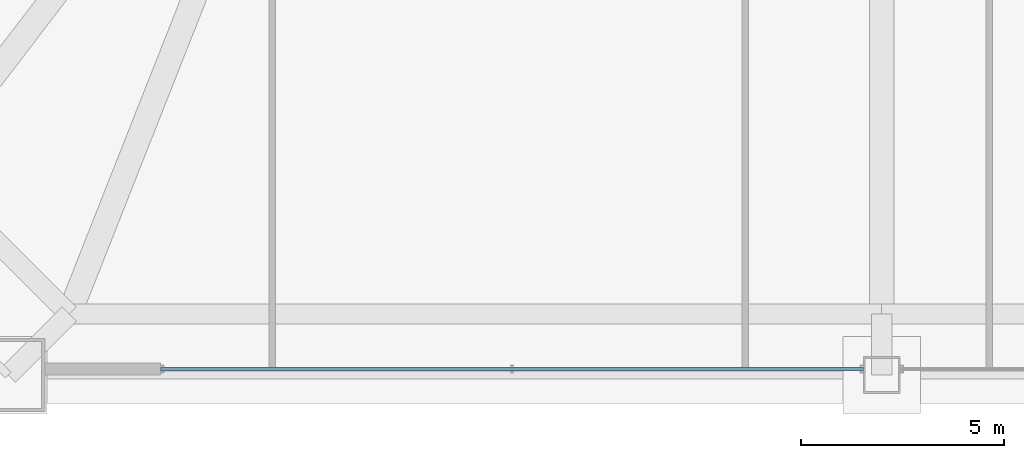
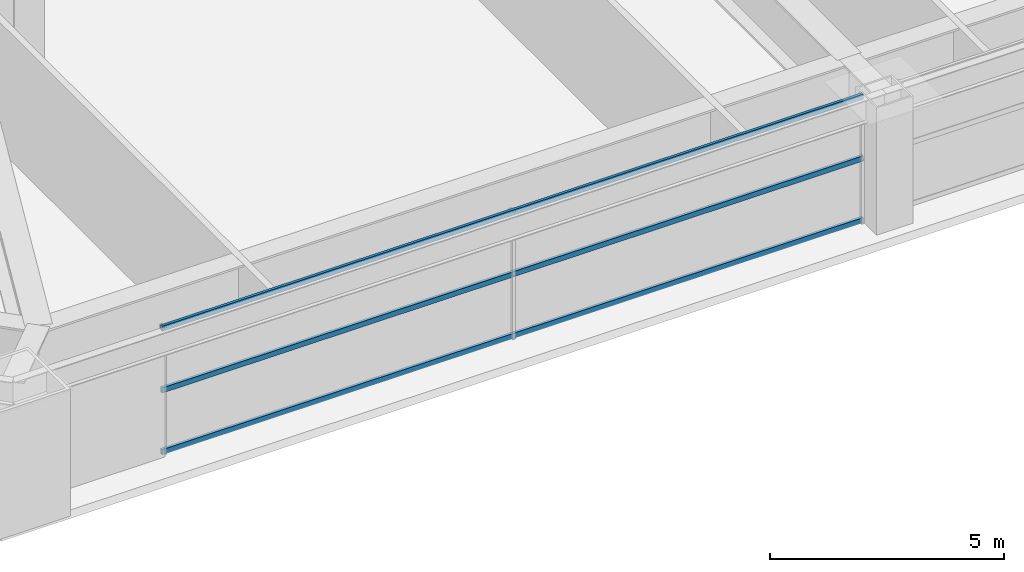
# One storey, part 6 of 44: 3 members, 1 element without a shape of its own.
"""IFC4 building model written with IfcOpenShell, lengths in metres."""

from ifc_helpers import new_model, si_unit, direction, frame, origin, origin_2d, place, context, subcontext, project, spatial, hollow_rectangle, extrude, source, transform, mapped, material, layer, layer_set, material_profile, profile_set, type_object, element, aggregate, save


model = new_model("IFC4")

# Units and contexts
model_context = context("Model", 3, precision=1e-05, world=origin(), true_north=direction((0.0, 1.0)))
body_context = subcontext(model_context, "Body", "Model", "MODEL_VIEW")
ifc_project = project(units=[si_unit("LENGTHUNIT", "METRE"), si_unit("AREAUNIT", "SQUARE_METRE"), si_unit("VOLUMEUNIT", "CUBIC_METRE"), si_unit("PLANEANGLEUNIT", "RADIAN"), si_unit("MASSUNIT", "GRAM", prefix="KILO"), si_unit("THERMODYNAMICTEMPERATUREUNIT", "KELVIN"), si_unit("POWERUNIT", "WATT")], contexts=[model_context])

# Site, building, storey
site_placement = place(None, origin())
site = spatial("IfcSite", under=ifc_project, at=site_placement, CompositionType="ELEMENT")
building_placement = place(site_placement, origin())
building = spatial("IfcBuilding", under=site, at=building_placement, Name="Yuzanri Waterfront Tower", CompositionType="ELEMENT")
storey_placement = place(building_placement, frame((0.0, 0.0, 82.0)))
storey = spatial("IfcBuildingStorey", under=building, at=storey_placement, Name="L21", CompositionType="ELEMENT", Elevation=82.0)

# Curtain wall, members
ifc_material_1 = material(Name="Anodized Architectural Bronze", Category="metal")
ifc_layer = layer(ifc_material_1, 0.159912109375)
ifc_layer_set = layer_set([ifc_layer], Name="Anodized Architectural Bronze")
curtain_wall_type = type_object("IfcCurtainWallType", Name="Anodized Bronze Hotel Lower-Tier Recessed Unitized Curtain Wall 8100", PredefinedType="NOTDEFINED", material=ifc_layer_set)
curtain_wall_placement = place(storey_placement, origin())
curtain_wall = element("IfcCurtainWall", 1, at=curtain_wall_placement, inside=storey, type_object=curtain_wall_type, Name="L21 Curtain Wall CW-L21-SL", PredefinedType="NOTDEFINED")
ifc_material_2 = material(Name="Anodized Architectural Bronze", Category="metal")
ifc_material_profile = material_profile(ifc_material_2, hollow_rectangle(XDim=0.070068359375, YDim=0.135009765625, WallThickness=0.00341796875, at=origin_2d()), Name="CWT 70x135")
ifc_profile_set = profile_set([ifc_material_profile], Name="Anodized Architectural Bronze")
member_type = type_object("IfcMemberType", Name="Anodized Bronze Standard Curtain-Wall Transom 70x135", PredefinedType="USERDEFINED", material=ifc_profile_set)
shared_shape = source(origin(), body_context, "Body", "SweptSolid", [
    extrude(hollow_rectangle(XDim=0.070068359375, YDim=0.135009765625, WallThickness=0.00341796875, at=origin_2d()), origin(), (0.0, 0.0, 1.0), 17.300048828125),
])
member_1_placement = place(storey_placement, frame((19.25, 0.85009765625, 0.050048828125), z_axis=(1.0, 0.0, 0.0), x_axis=(0.0, 1.0, 0.0)))
member_1 = element("IfcMember", 2, at=member_1_placement, type_object=member_type, Name="CW-L21-SL Transom 1", ObjectType="TRANSOM", PredefinedType="USERDEFINED", context=body_context, shape_type="MappedRepresentation", body=[
    mapped(shared_shape, transform((0.0, 0.0, 0.0), scale=1.0)),
])
member_2_placement = place(storey_placement, frame((19.25, 0.85009765625, 1.659912109375), z_axis=(1.0, 0.0, 0.0), x_axis=(0.0, 1.0, 0.0)))
member_2 = element("IfcMember", 3, at=member_2_placement, type_object=member_type, Name="CW-L21-SL Transom 2", ObjectType="TRANSOM", PredefinedType="USERDEFINED", context=body_context, shape_type="MappedRepresentation", body=[
    mapped(shared_shape, transform((0.0, 0.0, 0.0), scale=1.0)),
])
member_3_placement = place(storey_placement, frame((19.25, 0.85009765625, 3.27001953125), z_axis=(1.0, 0.0, 0.0), x_axis=(0.0, 1.0, 0.0)))
member_3 = element("IfcMember", 4, at=member_3_placement, type_object=member_type, Name="CW-L21-SL Transom 3", ObjectType="TRANSOM", PredefinedType="USERDEFINED", context=body_context, shape_type="MappedRepresentation", body=[
    mapped(shared_shape, transform((0.0, 0.0, 0.0), scale=1.0)),
])
aggregate(curtain_wall, [member_1, member_2, member_3])

save(model, "model.ifc")
